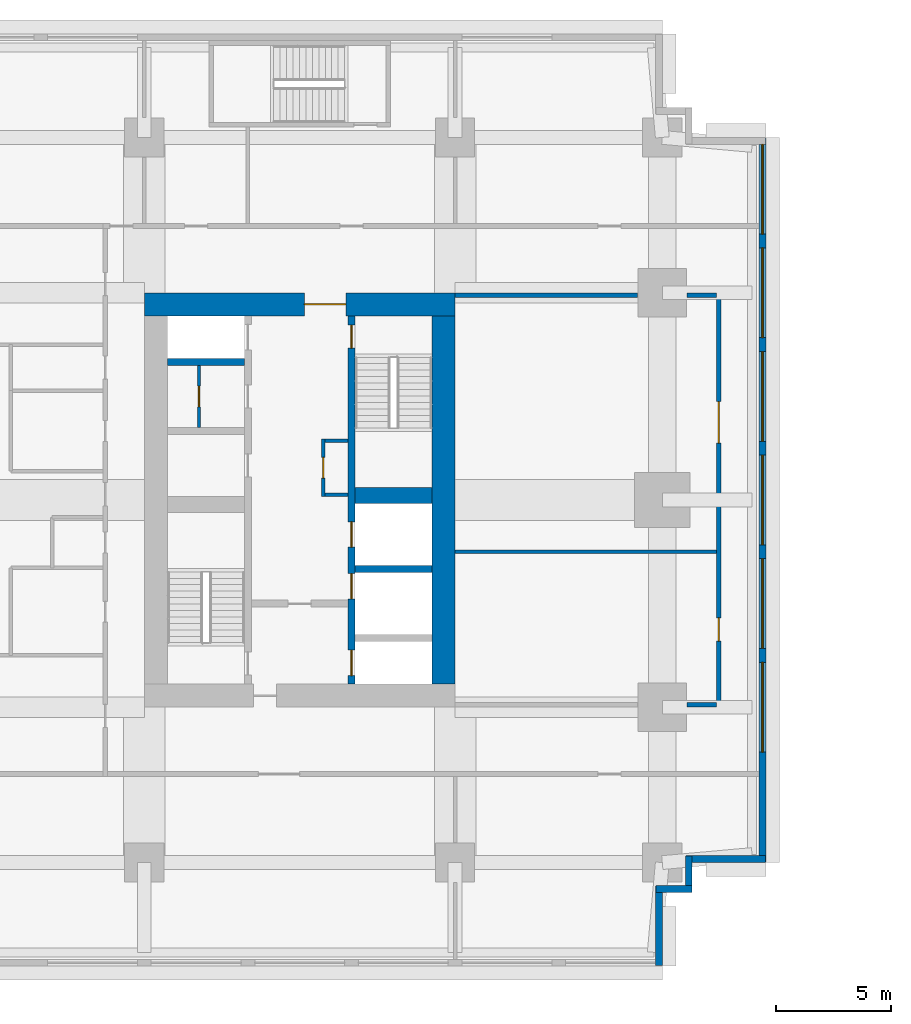
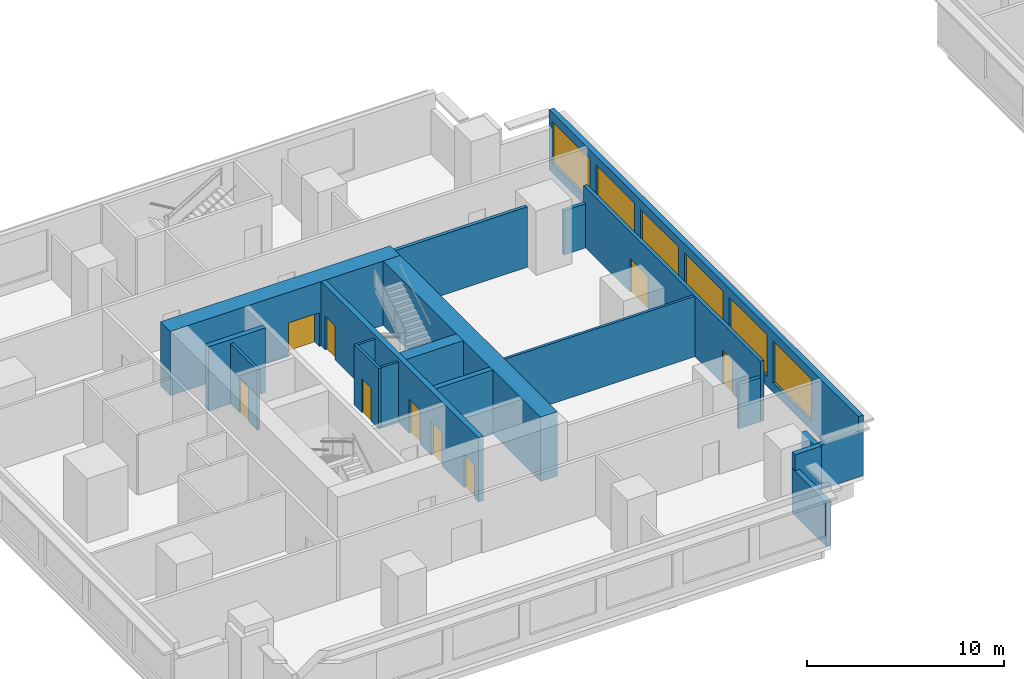
# One storey, part 4 of 10: 20 walls, 9 doors, 6 windows, 15 openings.
"""IFC4 building model written with IfcOpenShell, lengths in metres."""

from ifc_helpers import new_model, si_unit, direction, frame, frame_2d, origin, place, context, subcontext, project, spatial, rectangle, extrude, material, layer, layer_set, type_object, element, fill, save


model = new_model("IFC4")

# Units and contexts
model_context = context("Model", 3, precision=1e-05, world=origin(), true_north=direction((0.0, 1.0)))
body_context = subcontext(model_context, "Body", "Model", "MODEL_VIEW")
ifc_project = project(units=[si_unit("LENGTHUNIT", "METRE"), si_unit("AREAUNIT", "SQUARE_METRE"), si_unit("VOLUMEUNIT", "CUBIC_METRE"), si_unit("PLANEANGLEUNIT", "RADIAN"), si_unit("MASSUNIT", "GRAM", prefix="KILO")], contexts=[model_context])

# Site, building, storey
site_placement = place(None, origin())
site = spatial("IfcSite", under=ifc_project, at=site_placement, CompositionType="ELEMENT")
building_placement = place(site_placement, origin())
building = spatial("IfcBuilding", under=site, at=building_placement, Name="Namib Vertical Campus", CompositionType="ELEMENT")
storey_placement = place(building_placement, frame((0.0, 0.0, 165.0)))
storey = spatial("IfcBuildingStorey", under=building, at=storey_placement, Name="L39", CompositionType="ELEMENT", Elevation=165.0)

# Wall, openings, doors
ifc_material_1 = material(Name="Concrete C60/75", Category="concrete")
ifc_layer_1 = layer(ifc_material_1, 0.300048828125)
ifc_layer_set_1 = layer_set([ifc_layer_1], Name="Concrete C60/75")
wall_type_1 = type_object("IfcWallType", Name="Core inner wall 300", PredefinedType="SHEAR", material=ifc_layer_set_1)
wall_1_placement = place(storey_placement, frame((22.5, 12.25, 0.0), z_axis=(0.0, 0.0, 1.0), x_axis=(0.0, 1.0, 0.0)))
wall_1 = element("IfcWall", 1, at=wall_1_placement, inside=storey, type_object=wall_type_1, Name="Core inner wall A L39 W2", PredefinedType="SHEAR", context=body_context, shape_type="SweptSolid", body=[
    extrude(rectangle(XDim=16.0, YDim=0.300048828125, at=frame_2d((8.0, 0.0))), origin(), (0.0, 0.0, 1.0), 4.0),
])
opening_1_placement = place(wall_1_placement, frame((14.60009765625, 0.0, 0.0)))
opening_1 = element("IfcOpeningElement", 2, at=opening_1_placement, cuts=wall_1, Name="Opening FD1", PredefinedType="OPENING", context=body_context, shape_type="SweptSolid", body=[
    extrude(rectangle(XDim=1.0, YDim=2.10009765625, at=frame_2d((0.5, 1.050048828125))), frame((0.0, 0.159912109375, 0.0), z_axis=(0.0, -1.0, 0.0), x_axis=(1.0, 0.0, 0.0)), (0.0, 0.0, 1.0), 0.320068359375),
])
opening_2_placement = place(wall_1_placement, frame((0.375, 0.0, 0.0)))
opening_2 = element("IfcOpeningElement", 3, at=opening_2_placement, cuts=wall_1, Name="Opening LD1", PredefinedType="OPENING", context=body_context, shape_type="SweptSolid", body=[
    extrude(rectangle(XDim=1.10009765625, YDim=2.10009765625, at=frame_2d((0.550048828125, 1.050048828125))), frame((0.0, 0.159912109375, 0.0), z_axis=(0.0, -1.0, 0.0), x_axis=(1.0, 0.0, 0.0)), (0.0, 0.0, 1.0), 0.320068359375),
])
opening_3_placement = place(wall_1_placement, frame((3.699951171875, 0.0, 0.0)))
opening_3 = element("IfcOpeningElement", 4, at=opening_3_placement, cuts=wall_1, Name="Opening LD1", PredefinedType="OPENING", context=body_context, shape_type="SweptSolid", body=[
    extrude(rectangle(XDim=1.10009765625, YDim=2.10009765625, at=frame_2d((0.550048828125, 1.050048828125))), frame((0.0, 0.159912109375, 0.0), z_axis=(0.0, -1.0, 0.0), x_axis=(1.0, 0.0, 0.0)), (0.0, 0.0, 1.0), 0.320068359375),
])
opening_4_placement = place(wall_1_placement, frame((5.949951171875, 0.0, 0.0)))
opening_4 = element("IfcOpeningElement", 5, at=opening_4_placement, cuts=wall_1, Name="Opening LD1", PredefinedType="OPENING", context=body_context, shape_type="SweptSolid", body=[
    extrude(rectangle(XDim=1.10009765625, YDim=2.10009765625, at=frame_2d((0.550048828125, 1.050048828125))), frame((0.0, 0.159912109375, 0.0), z_axis=(0.0, -1.0, 0.0), x_axis=(1.0, 0.0, 0.0)), (0.0, 0.0, 1.0), 0.320068359375),
])
ifc_material_2 = material(Name="Steel fire door", Category="steel")
door_type_1 = type_object("IfcDoorType", Name="Fire door 1000x2100", OperationType="SINGLE_SWING_RIGHT", PredefinedType="DOOR", material=ifc_material_2)
door_1_placement = place(opening_1_placement, frame((1.0, 0.0, 0.0), z_axis=(0.0, 0.0, 1.0), x_axis=(-1.0, 0.0, 0.0)))
door_1 = element("IfcDoor", 6, at=door_1_placement, inside=storey, type_object=door_type_1, Name="Stair door FD1 A L39 S2", OperationType="SINGLE_SWING_LEFT", OverallHeight=2.10009765625, OverallWidth=1.0, PredefinedType="DOOR", context=body_context, shape_type="SweptSolid", body=[
    extrude(rectangle(XDim=1.0, YDim=2.10009765625, at=frame_2d((0.5, 1.050048828125))), frame((0.0, 0.02490234375, 0.0), z_axis=(0.0, -1.0, 0.0), x_axis=(1.0, 0.0, 0.0)), (0.0, 0.0, 1.0), 0.050048828125),
])
fill(opening_1, door_1)
ifc_material_3 = material(Name="Stainless steel lift door", Category="steel")
door_type_2 = type_object("IfcDoorType", Name="Lift landing door 1100x2100", OperationType="DOUBLE_DOOR_SLIDING", PredefinedType="DOOR", material=ifc_material_3)
door_2_placement = place(opening_2_placement, origin())
door_2 = element("IfcDoor", 7, at=door_2_placement, inside=storey, type_object=door_type_2, Name="Lift landing door LD1 A-FL1 L39", OperationType="DOUBLE_DOOR_SLIDING", OverallHeight=2.10009765625, OverallWidth=1.10009765625, PredefinedType="DOOR", context=body_context, shape_type="SweptSolid", body=[
    extrude(rectangle(XDim=1.10009765625, YDim=2.10009765625, at=frame_2d((0.550048828125, 1.050048828125))), frame((0.0, 0.02490234375, 0.0), z_axis=(0.0, -1.0, 0.0), x_axis=(1.0, 0.0, 0.0)), (0.0, 0.0, 1.0), 0.050048828125),
])
fill(opening_2, door_2)
door_3_placement = place(opening_3_placement, origin())
door_3 = element("IfcDoor", 8, at=door_3_placement, inside=storey, type_object=door_type_2, Name="Lift landing door LD1 A-P4 L39", OperationType="DOUBLE_DOOR_SLIDING", OverallHeight=2.10009765625, OverallWidth=1.10009765625, PredefinedType="DOOR", context=body_context, shape_type="SweptSolid", body=[
    extrude(rectangle(XDim=1.10009765625, YDim=2.10009765625, at=frame_2d((0.550048828125, 1.050048828125))), frame((0.0, 0.02490234375, 0.0), z_axis=(0.0, -1.0, 0.0), x_axis=(1.0, 0.0, 0.0)), (0.0, 0.0, 1.0), 0.050048828125),
])
fill(opening_3, door_3)
door_4_placement = place(opening_4_placement, origin())
door_4 = element("IfcDoor", 9, at=door_4_placement, inside=storey, type_object=door_type_2, Name="Lift landing door LD1 A-P5 L39", OperationType="DOUBLE_DOOR_SLIDING", OverallHeight=2.10009765625, OverallWidth=1.10009765625, PredefinedType="DOOR", context=body_context, shape_type="SweptSolid", body=[
    extrude(rectangle(XDim=1.10009765625, YDim=2.10009765625, at=frame_2d((0.550048828125, 1.050048828125))), frame((0.0, 0.02490234375, 0.0), z_axis=(0.0, -1.0, 0.0), x_axis=(1.0, 0.0, 0.0)), (0.0, 0.0, 1.0), 0.050048828125),
])
fill(opening_4, door_4)

# Walls
for number, where, z_axis, x_axis, name in (
    (10, (22.64990234375, 17.25, 0.0), (0.0, 0.0, 1.0), (1.0, 0.0, 0.0), "Core inner wall A L39 W6"),
    (11, (14.5, 26.25, 0.0), (0.0, 0.0, 1.0), (1.0, 0.0, 0.0), "Core inner wall A L39 W9"),
):
    element("IfcWall", number, at=place(storey_placement, frame(where, z_axis=z_axis, x_axis=x_axis)), inside=storey, type_object=wall_type_1, Name=name, PredefinedType="SHEAR", context=body_context, shape_type="SweptSolid", body=[
        extrude(rectangle(XDim=3.35009765625, YDim=0.300048828125, at=frame_2d((1.675048828125, 0.0))), origin(), (0.0, 0.0, 1.0), 4.0),
    ])
ifc_material_4 = material(Name="Concrete C60/75", Category="concrete")
ifc_layer_2 = layer(ifc_material_4, 0.699951171875)
ifc_layer_set_2 = layer_set([ifc_layer_2], Name="Concrete C60/75")
wall_type_2 = type_object("IfcWallType", Name="Core shear wall 700", PredefinedType="SHEAR", material=ifc_layer_set_2)
wall_2_placement = place(storey_placement, frame((22.64990234375, 20.449951171875, 0.0), z_axis=(0.0, 0.0, 1.0), x_axis=(1.0, 0.0, 0.0)))
element("IfcWall", 12, at=wall_2_placement, inside=storey, type_object=wall_type_2, Name="Core shear wall A L39 W7", PredefinedType="SHEAR", context=body_context, shape_type="SweptSolid", body=[
    extrude(rectangle(XDim=3.35009765625, YDim=0.699951171875, at=frame_2d((1.675048828125, 0.0))), origin(), (0.0, 0.0, 1.0), 4.0),
])
ifc_material_5 = material(Name="Concrete C60/75", Category="concrete")
ifc_layer_3 = layer(ifc_material_5, 1.0)
ifc_layer_set_3 = layer_set([ifc_layer_3], Name="Concrete C60/75")
wall_type_3 = type_object("IfcWallType", Name="Core wall 1000", PredefinedType="SHEAR", material=ifc_layer_set_3)
wall_3_placement = place(storey_placement, frame((26.5, 12.25, 0.0), z_axis=(0.0, 0.0, 1.0), x_axis=(0.0, 1.0, 0.0)))
element("IfcWall", 13, at=wall_3_placement, inside=storey, type_object=wall_type_3, Name="Core wall A L39 2", PredefinedType="SHEAR", context=body_context, shape_type="SweptSolid", body=[
    extrude(rectangle(XDim=16.0, YDim=1.0, at=frame_2d((8.0, 0.0))), origin(), (0.0, 0.0, 1.0), 4.0),
])

# Wall, opening, door
wall_4_placement = place(storey_placement, frame((27.0, 28.75, 0.0), z_axis=(0.0, 0.0, 1.0), x_axis=(-1.0, 0.0, 0.0)))
wall_4 = element("IfcWall", 14, at=wall_4_placement, inside=storey, type_object=wall_type_3, Name="Core wall A L39 3", PredefinedType="SHEAR", context=body_context, shape_type="SweptSolid", body=[
    extrude(rectangle(XDim=13.5, YDim=1.0, at=frame_2d((6.75, 0.0))), origin(), (0.0, 0.0, 1.0), 4.0),
])
opening_5_placement = place(wall_4_placement, frame((4.75, 0.0, 0.0)))
opening_5 = element("IfcOpeningElement", 15, at=opening_5_placement, cuts=wall_4, Name="Opening FD2", PredefinedType="OPENING", context=body_context, shape_type="SweptSolid", body=[
    extrude(rectangle(XDim=1.800048828125, YDim=2.10009765625, at=frame_2d((0.89990234375, 1.050048828125))), frame((0.0, 0.510009765625, 0.0), z_axis=(0.0, -1.0, 0.0), x_axis=(1.0, 0.0, 0.0)), (0.0, 0.0, 1.0), 1.02001953125),
])
ifc_material_6 = material(Name="Steel fire door", Category="steel")
door_type_3 = type_object("IfcDoorType", Name="Fire door double 1800x2100", OperationType="DOUBLE_DOOR_SINGLE_SWING", PredefinedType="DOOR", material=ifc_material_6)
door_5_placement = place(opening_5_placement, origin())
door_5 = element("IfcDoor", 16, at=door_5_placement, inside=storey, type_object=door_type_3, Name="Lift lobby door FD2 A L39", OperationType="DOUBLE_DOOR_SINGLE_SWING", OverallHeight=2.10009765625, OverallWidth=1.800048828125, PredefinedType="DOOR", context=body_context, shape_type="SweptSolid", body=[
    extrude(rectangle(XDim=1.800048828125, YDim=2.10009765625, at=frame_2d((0.89990234375, 1.050048828125))), frame((0.0, 0.02490234375, 0.0), z_axis=(0.0, -1.0, 0.0), x_axis=(1.0, 0.0, 0.0)), (0.0, 0.0, 1.0), 0.050048828125),
])
fill(opening_5, door_5)

# Wall, openings, doors
ifc_material_7 = material(Name="Concrete masonry", Category="masonry")
ifc_layer_4 = layer(ifc_material_7, 0.199951171875)
ifc_layer_set_4 = layer_set([ifc_layer_4], Name="Corridor wall 200")
wall_type_4 = type_object("IfcWallType", Name="Corridor wall 200", PredefinedType="SOLIDWALL", material=ifc_layer_set_4)
wall_5_placement = place(storey_placement, frame((38.449951171875, 11.25, 0.0), z_axis=(0.0, 0.0, 1.0), x_axis=(0.0, 1.0, 0.0)))
wall_5 = element("IfcWall", 17, at=wall_5_placement, inside=storey, type_object=wall_type_4, Name="Corridor wall A L39 CG", PredefinedType="SOLIDWALL", context=body_context, shape_type="SweptSolid", body=[
    extrude(rectangle(XDim=18.0, YDim=0.199951171875, at=frame_2d((9.0, 0.0))), origin(), (0.0, 0.0, 1.0), 3.75),
])
opening_6_placement = place(wall_5_placement, frame((2.875, 0.0, 0.0)))
opening_6 = element("IfcOpeningElement", 18, at=opening_6_placement, cuts=wall_5, Name="Opening CD1", PredefinedType="OPENING", context=body_context, shape_type="SweptSolid", body=[
    extrude(rectangle(XDim=1.0, YDim=2.10009765625, at=frame_2d((0.5, 1.050048828125))), frame((0.0, 0.10986328125, 0.0), z_axis=(0.0, -1.0, 0.0), x_axis=(1.0, 0.0, 0.0)), (0.0, 0.0, 1.0), 0.219970703125),
])
opening_7_placement = place(wall_5_placement, frame((11.47509765625, 0.0, 0.0)))
opening_7 = element("IfcOpeningElement", 19, at=opening_7_placement, cuts=wall_5, Name="Opening CD2", PredefinedType="OPENING", context=body_context, shape_type="SweptSolid", body=[
    extrude(rectangle(XDim=1.800048828125, YDim=2.10009765625, at=frame_2d((0.89990234375, 1.050048828125))), frame((0.0, 0.10986328125, 0.0), z_axis=(0.0, -1.0, 0.0), x_axis=(1.0, 0.0, 0.0)), (0.0, 0.0, 1.0), 0.219970703125),
])
ifc_material_8 = material(Name="Timber fire door leaf", Category="wood")
door_type_4 = type_object("IfcDoorType", Name="Corridor door 1000x2100 20 min", OperationType="SINGLE_SWING_LEFT", PredefinedType="DOOR", material=ifc_material_8)
door_6_placement = place(opening_6_placement, origin())
door_6 = element("IfcDoor", 20, at=door_6_placement, inside=storey, type_object=door_type_4, Name="Door CD1 A39-03", OperationType="SINGLE_SWING_LEFT", OverallHeight=2.10009765625, OverallWidth=1.0, PredefinedType="DOOR", context=body_context, shape_type="SweptSolid", body=[
    extrude(rectangle(XDim=1.0, YDim=2.10009765625, at=frame_2d((0.5, 1.050048828125))), frame((0.0, 0.02490234375, 0.0), z_axis=(0.0, -1.0, 0.0), x_axis=(1.0, 0.0, 0.0)), (0.0, 0.0, 1.0), 0.050048828125),
])
fill(opening_6, door_6)
ifc_material_9 = material(Name="Timber fire door leaf", Category="wood")
door_type_5 = type_object("IfcDoorType", Name="Corridor door double 1800x2100 20 min", OperationType="DOUBLE_DOOR_SINGLE_SWING", PredefinedType="DOOR", material=ifc_material_9)
door_7_placement = place(opening_7_placement, origin())
door_7 = element("IfcDoor", 21, at=door_7_placement, inside=storey, type_object=door_type_5, Name="Door CD2 A39-04", OperationType="DOUBLE_DOOR_SINGLE_SWING", OverallHeight=2.10009765625, OverallWidth=1.800048828125, PredefinedType="DOOR", context=body_context, shape_type="SweptSolid", body=[
    extrude(rectangle(XDim=1.800048828125, YDim=2.10009765625, at=frame_2d((0.89990234375, 1.050048828125))), frame((0.0, 0.02490234375, 0.0), z_axis=(0.0, -1.0, 0.0), x_axis=(1.0, 0.0, 0.0)), (0.0, 0.0, 1.0), 0.050048828125),
])
fill(opening_7, door_7)

# Walls
wall_6_placement = place(storey_placement, frame((37.070068359375, 11.35009765625, 0.0), z_axis=(0.0, 0.0, 1.0), x_axis=(1.0, 0.0, 0.0)))
element("IfcWall", 22, at=wall_6_placement, inside=storey, type_object=wall_type_4, Name="Corridor wall A L39 GS", PredefinedType="SOLIDWALL", context=body_context, shape_type="SweptSolid", body=[
    extrude(rectangle(XDim=1.280029296875, YDim=0.199951171875, at=frame_2d((0.64013671875, 0.0))), origin(), (0.0, 0.0, 1.0), 2.75),
])
wall_7_placement = place(storey_placement, frame((27.0, 29.14990234375, 0.0), z_axis=(0.0, 0.0, 1.0), x_axis=(1.0, 0.0, 0.0)))
element("IfcWall", 23, at=wall_7_placement, inside=storey, type_object=wall_type_4, Name="Corridor wall A L39 GN", PredefinedType="SOLIDWALL", context=body_context, shape_type="SweptSolid", body=[
    extrude(rectangle(XDim=7.929931640625, YDim=0.199951171875, at=frame_2d((3.96484375, 0.0))), origin(), (0.0, 0.0, 1.0), 3.75),
])
wall_8_placement = place(storey_placement, frame((37.070068359375, 29.14990234375, 0.0), z_axis=(0.0, 0.0, 1.0), x_axis=(1.0, 0.0, 0.0)))
element("IfcWall", 24, at=wall_8_placement, inside=storey, type_object=wall_type_4, Name="Corridor wall A L39 GN", PredefinedType="SOLIDWALL", context=body_context, shape_type="SweptSolid", body=[
    extrude(rectangle(XDim=1.280029296875, YDim=0.199951171875, at=frame_2d((0.64013671875, 0.0))), origin(), (0.0, 0.0, 1.0), 2.75),
])
ifc_material_10 = material(Name="Concrete C40/50", Category="concrete")
ifc_layer_5 = layer(ifc_material_10, 0.300048828125)
ifc_layer_set_5 = layer_set([ifc_layer_5], Name="Concrete C40/50")
wall_type_5 = type_object("IfcWallType", Name="External wall 300 board-marked concrete", PredefinedType="STANDARD", material=ifc_layer_set_5)
wall_9_placement = place(storey_placement, frame((35.85009765625, 0.02001953125, 0.0), z_axis=(0.0, 0.0, 1.0), x_axis=(0.0, 1.0, 0.0)))
element("IfcWall", 25, at=wall_9_placement, inside=storey, type_object=wall_type_5, Name="External wall L39 F02", PredefinedType="STANDARD", context=body_context, shape_type="SweptSolid", body=[
    extrude(rectangle(XDim=3.4599609375, YDim=0.300048828125, at=frame_2d((1.72998046875, 0.0))), origin(), (0.0, 0.0, 1.0), 2.75),
])
for number, where, z_axis, x_axis, name in (
    (26, (35.719970703125, 3.35009765625, 0.0), (0.0, 0.0, 1.0), (1.0, 0.0, 0.0), "External wall L39 F03"),
    (27, (37.14990234375, 3.219970703125, 0.0), (0.0, 0.0, 1.0), (0.0, 1.0, 0.0), "External wall L39 F04"),
):
    element("IfcWall", number, at=place(storey_placement, frame(where, z_axis=z_axis, x_axis=x_axis)), inside=storey, type_object=wall_type_5, Name=name, PredefinedType="STANDARD", context=body_context, shape_type="SweptSolid", body=[
        extrude(rectangle(XDim=1.56005859375, YDim=0.300048828125, at=frame_2d((0.780029296875, 0.0))), origin(), (0.0, 0.0, 1.0), 3.75),
    ])
wall_10_placement = place(storey_placement, frame((37.02001953125, 4.64990234375, 0.0), z_axis=(0.0, 0.0, 1.0), x_axis=(1.0, 0.0, 0.0)))
element("IfcWall", 28, at=wall_10_placement, inside=storey, type_object=wall_type_5, Name="External wall L39 F05", PredefinedType="STANDARD", context=body_context, shape_type="SweptSolid", body=[
    extrude(rectangle(XDim=3.4599609375, YDim=0.300048828125, at=frame_2d((1.72998046875, 0.0))), origin(), (0.0, 0.0, 1.0), 2.75),
])

# Wall, openings, windows
wall_11_placement = place(storey_placement, frame((40.35009765625, 4.52001953125, 0.0), z_axis=(0.0, 0.0, 1.0), x_axis=(0.0, 1.0, 0.0)))
wall_11 = element("IfcWall", 29, at=wall_11_placement, inside=storey, type_object=wall_type_5, Name="External wall L39 F06", PredefinedType="STANDARD", context=body_context, shape_type="SweptSolid", body=[
    extrude(rectangle(XDim=31.4599609375, YDim=0.300048828125, at=frame_2d((15.72998046875, 0.0))), origin(), (0.0, 0.0, 1.0), 3.75),
])
opening_8_placement = place(wall_11_placement, frame((4.780029296875, 0.0, 0.60009765625)))
opening_8 = element("IfcOpeningElement", 30, at=opening_8_placement, cuts=wall_11, Name="Opening W2", PredefinedType="OPENING", context=body_context, shape_type="SweptSolid", body=[
    extrude(rectangle(XDim=3.89990234375, YDim=2.60009765625, at=frame_2d((1.949951171875, 1.300048828125))), frame((0.0, 0.159912109375, 0.0), z_axis=(0.0, -1.0, 0.0), x_axis=(1.0, 0.0, 0.0)), (0.0, 0.0, 1.0), 0.320068359375),
])
opening_9_placement = place(wall_11_placement, frame((9.280029296875, 0.0, 0.60009765625)))
opening_9 = element("IfcOpeningElement", 31, at=opening_9_placement, cuts=wall_11, Name="Opening W2", PredefinedType="OPENING", context=body_context, shape_type="SweptSolid", body=[
    extrude(rectangle(XDim=3.89990234375, YDim=2.60009765625, at=frame_2d((1.949951171875, 1.300048828125))), frame((0.0, 0.159912109375, 0.0), z_axis=(0.0, -1.0, 0.0), x_axis=(1.0, 0.0, 0.0)), (0.0, 0.0, 1.0), 0.320068359375),
])
opening_10_placement = place(wall_11_placement, frame((13.780029296875, 0.0, 0.60009765625)))
opening_10 = element("IfcOpeningElement", 32, at=opening_10_placement, cuts=wall_11, Name="Opening W2", PredefinedType="OPENING", context=body_context, shape_type="SweptSolid", body=[
    extrude(rectangle(XDim=3.89990234375, YDim=2.60009765625, at=frame_2d((1.949951171875, 1.300048828125))), frame((0.0, 0.159912109375, 0.0), z_axis=(0.0, -1.0, 0.0), x_axis=(1.0, 0.0, 0.0)), (0.0, 0.0, 1.0), 0.320068359375),
])
opening_11_placement = place(wall_11_placement, frame((18.280029296875, 0.0, 0.60009765625)))
opening_11 = element("IfcOpeningElement", 33, at=opening_11_placement, cuts=wall_11, Name="Opening W2", PredefinedType="OPENING", context=body_context, shape_type="SweptSolid", body=[
    extrude(rectangle(XDim=3.89990234375, YDim=2.60009765625, at=frame_2d((1.949951171875, 1.300048828125))), frame((0.0, 0.159912109375, 0.0), z_axis=(0.0, -1.0, 0.0), x_axis=(1.0, 0.0, 0.0)), (0.0, 0.0, 1.0), 0.320068359375),
])
opening_12_placement = place(wall_11_placement, frame((22.780029296875, 0.0, 0.60009765625)))
opening_12 = element("IfcOpeningElement", 34, at=opening_12_placement, cuts=wall_11, Name="Opening W2", PredefinedType="OPENING", context=body_context, shape_type="SweptSolid", body=[
    extrude(rectangle(XDim=3.89990234375, YDim=2.60009765625, at=frame_2d((1.949951171875, 1.300048828125))), frame((0.0, 0.159912109375, 0.0), z_axis=(0.0, -1.0, 0.0), x_axis=(1.0, 0.0, 0.0)), (0.0, 0.0, 1.0), 0.320068359375),
])
opening_13_placement = place(wall_11_placement, frame((27.280029296875, 0.0, 0.60009765625)))
opening_13 = element("IfcOpeningElement", 35, at=opening_13_placement, cuts=wall_11, Name="Opening W2", PredefinedType="OPENING", context=body_context, shape_type="SweptSolid", body=[
    extrude(rectangle(XDim=3.89990234375, YDim=2.60009765625, at=frame_2d((1.949951171875, 1.300048828125))), frame((0.0, 0.159912109375, 0.0), z_axis=(0.0, -1.0, 0.0), x_axis=(1.0, 0.0, 0.0)), (0.0, 0.0, 1.0), 0.320068359375),
])
ifc_material_11 = material(Name="Dark tinted glass in black aluminium frame", Category="aluminium")
window_type = type_object("IfcWindowType", Name="Ribbon window 3900x2600", PartitioningType="SINGLE_PANEL", PredefinedType="WINDOW", material=ifc_material_11)
window_1_placement = place(opening_8_placement, origin())
window_1 = element("IfcWindow", 36, at=window_1_placement, inside=storey, type_object=window_type, Name="Window W2 L39 F06-2", OverallHeight=2.60009765625, OverallWidth=3.89990234375, PartitioningType="SINGLE_PANEL", PredefinedType="WINDOW", context=body_context, shape_type="SweptSolid", body=[
    extrude(rectangle(XDim=3.89990234375, YDim=2.60009765625, at=frame_2d((1.949951171875, 1.300048828125))), frame((0.0, 0.030029296875, 0.0), z_axis=(0.0, -1.0, 0.0), x_axis=(1.0, 0.0, 0.0)), (0.0, 0.0, 1.0), 0.06005859375),
])
fill(opening_8, window_1)
window_2_placement = place(opening_9_placement, origin())
window_2 = element("IfcWindow", 37, at=window_2_placement, inside=storey, type_object=window_type, Name="Window W2 L39 F06-3", OverallHeight=2.60009765625, OverallWidth=3.89990234375, PartitioningType="SINGLE_PANEL", PredefinedType="WINDOW", context=body_context, shape_type="SweptSolid", body=[
    extrude(rectangle(XDim=3.89990234375, YDim=2.60009765625, at=frame_2d((1.949951171875, 1.300048828125))), frame((0.0, 0.030029296875, 0.0), z_axis=(0.0, -1.0, 0.0), x_axis=(1.0, 0.0, 0.0)), (0.0, 0.0, 1.0), 0.06005859375),
])
fill(opening_9, window_2)
window_3_placement = place(opening_10_placement, origin())
window_3 = element("IfcWindow", 38, at=window_3_placement, inside=storey, type_object=window_type, Name="Window W2 L39 F06-4", OverallHeight=2.60009765625, OverallWidth=3.89990234375, PartitioningType="SINGLE_PANEL", PredefinedType="WINDOW", context=body_context, shape_type="SweptSolid", body=[
    extrude(rectangle(XDim=3.89990234375, YDim=2.60009765625, at=frame_2d((1.949951171875, 1.300048828125))), frame((0.0, 0.030029296875, 0.0), z_axis=(0.0, -1.0, 0.0), x_axis=(1.0, 0.0, 0.0)), (0.0, 0.0, 1.0), 0.06005859375),
])
fill(opening_10, window_3)
window_4_placement = place(opening_11_placement, origin())
window_4 = element("IfcWindow", 39, at=window_4_placement, inside=storey, type_object=window_type, Name="Window W2 L39 F06-5", OverallHeight=2.60009765625, OverallWidth=3.89990234375, PartitioningType="SINGLE_PANEL", PredefinedType="WINDOW", context=body_context, shape_type="SweptSolid", body=[
    extrude(rectangle(XDim=3.89990234375, YDim=2.60009765625, at=frame_2d((1.949951171875, 1.300048828125))), frame((0.0, 0.030029296875, 0.0), z_axis=(0.0, -1.0, 0.0), x_axis=(1.0, 0.0, 0.0)), (0.0, 0.0, 1.0), 0.06005859375),
])
fill(opening_11, window_4)
window_5_placement = place(opening_12_placement, origin())
window_5 = element("IfcWindow", 40, at=window_5_placement, inside=storey, type_object=window_type, Name="Window W2 L39 F06-6", OverallHeight=2.60009765625, OverallWidth=3.89990234375, PartitioningType="SINGLE_PANEL", PredefinedType="WINDOW", context=body_context, shape_type="SweptSolid", body=[
    extrude(rectangle(XDim=3.89990234375, YDim=2.60009765625, at=frame_2d((1.949951171875, 1.300048828125))), frame((0.0, 0.030029296875, 0.0), z_axis=(0.0, -1.0, 0.0), x_axis=(1.0, 0.0, 0.0)), (0.0, 0.0, 1.0), 0.06005859375),
])
fill(opening_12, window_5)
window_6_placement = place(opening_13_placement, origin())
window_6 = element("IfcWindow", 41, at=window_6_placement, inside=storey, type_object=window_type, Name="Window W2 L39 F06-7", OverallHeight=2.60009765625, OverallWidth=3.89990234375, PartitioningType="SINGLE_PANEL", PredefinedType="WINDOW", context=body_context, shape_type="SweptSolid", body=[
    extrude(rectangle(XDim=3.89990234375, YDim=2.60009765625, at=frame_2d((1.949951171875, 1.300048828125))), frame((0.0, 0.030029296875, 0.0), z_axis=(0.0, -1.0, 0.0), x_axis=(1.0, 0.0, 0.0)), (0.0, 0.0, 1.0), 0.06005859375),
])
fill(opening_13, window_6)

# Wall, opening, door
ifc_material_12 = material(Name="Gypsum board on steel studs", Category="steel")
ifc_layer_6 = layer(ifc_material_12, 0.14990234375)
ifc_layer_set_6 = layer_set([ifc_layer_6], Name="Gypsum board on steel studs")
wall_type_6 = type_object("IfcWallType", Name="Partition 150", PredefinedType="PARTITIONING", material=ifc_layer_set_6)
wall_12_placement = place(storey_placement, frame((21.27490234375, 20.39990234375, 0.0), z_axis=(0.0, 0.0, 1.0), x_axis=(0.0, 1.0, 0.0)))
wall_12 = element("IfcWall", 42, at=wall_12_placement, inside=storey, type_object=wall_type_6, Name="Partition A L39 Cleaners' store front", PredefinedType="PARTITIONING", context=body_context, shape_type="SweptSolid", body=[
    extrude(rectangle(XDim=2.5, YDim=0.14990234375, at=frame_2d((1.25, 0.0))), origin(), (0.0, 0.0, 1.0), 3.75),
])
opening_14_placement = place(wall_12_placement, frame((0.800048828125, 0.0, 0.0)))
opening_14 = element("IfcOpeningElement", 43, at=opening_14_placement, cuts=wall_12, Name="Opening D3", PredefinedType="OPENING", context=body_context, shape_type="SweptSolid", body=[
    extrude(rectangle(XDim=0.89990234375, YDim=2.10009765625, at=frame_2d((0.449951171875, 1.050048828125))), frame((0.0, 0.0849609375, 0.0), z_axis=(0.0, -1.0, 0.0), x_axis=(1.0, 0.0, 0.0)), (0.0, 0.0, 1.0), 0.169921875),
])
ifc_material_13 = material(Name="Timber door leaf", Category="wood")
door_type_6 = type_object("IfcDoorType", Name="Toilet door 900x2100", OperationType="SINGLE_SWING_LEFT", PredefinedType="DOOR", material=ifc_material_13)
door_8_placement = place(opening_14_placement, frame((0.89990234375, 0.0, 0.0), z_axis=(0.0, 0.0, 1.0), x_axis=(-1.0, 0.0, 0.0)))
door_8 = element("IfcDoor", 44, at=door_8_placement, inside=storey, type_object=door_type_6, Name="Door D3 Cleaners' store A L39", OperationType="SINGLE_SWING_RIGHT", OverallHeight=2.10009765625, OverallWidth=0.89990234375, PredefinedType="DOOR", context=body_context, shape_type="SweptSolid", body=[
    extrude(rectangle(XDim=0.89990234375, YDim=2.10009765625, at=frame_2d((0.449951171875, 1.050048828125))), frame((0.0, 0.02490234375, 0.0), z_axis=(0.0, -1.0, 0.0), x_axis=(1.0, 0.0, 0.0)), (0.0, 0.0, 1.0), 0.050048828125),
])
fill(opening_14, door_8)

# Walls
for number, where, z_axis, x_axis, name in (
    (45, (21.35009765625, 20.47509765625, 0.0), (0.0, 0.0, 1.0), (1.0, 0.0, 0.0), "Partition A L39 Cleaners' store end 1"),
    (46, (21.35009765625, 22.824951171875, 0.0), (0.0, 0.0, 1.0), (1.0, 0.0, 0.0), "Partition A L39 Cleaners' store end 2"),
):
    element("IfcWall", number, at=place(storey_placement, frame(where, z_axis=z_axis, x_axis=x_axis)), inside=storey, type_object=wall_type_6, Name=name, PredefinedType="PARTITIONING", context=body_context, shape_type="SweptSolid", body=[
        extrude(rectangle(XDim=1.0, YDim=0.14990234375, at=frame_2d((0.5, 0.0))), origin(), (0.0, 0.0, 1.0), 3.75),
    ])

# Wall, opening, door
wall_13_placement = place(storey_placement, frame((15.875, 23.39990234375, 0.0), z_axis=(0.0, 0.0, 1.0), x_axis=(0.0, 1.0, 0.0)))
wall_13 = element("IfcWall", 47, at=wall_13_placement, inside=storey, type_object=wall_type_6, Name="Partition A L39 Records store P2 back", PredefinedType="PARTITIONING", context=body_context, shape_type="SweptSolid", body=[
    extrude(rectangle(XDim=2.7001953125, YDim=0.14990234375, at=frame_2d((1.35009765625, 0.0))), origin(), (0.0, 0.0, 1.0), 3.75),
])
opening_15_placement = place(wall_13_placement, frame((0.89990234375, 0.0, 0.0)))
opening_15 = element("IfcOpeningElement", 48, at=opening_15_placement, cuts=wall_13, Name="Opening D3", PredefinedType="OPENING", context=body_context, shape_type="SweptSolid", body=[
    extrude(rectangle(XDim=0.89990234375, YDim=2.10009765625, at=frame_2d((0.449951171875, 1.050048828125))), frame((0.0, 0.0849609375, 0.0), z_axis=(0.0, -1.0, 0.0), x_axis=(1.0, 0.0, 0.0)), (0.0, 0.0, 1.0), 0.169921875),
])
door_9_placement = place(opening_15_placement, origin())
door_9 = element("IfcDoor", 49, at=door_9_placement, inside=storey, type_object=door_type_6, Name="Door D3 Store A L39 P2", OperationType="SINGLE_SWING_LEFT", OverallHeight=2.10009765625, OverallWidth=0.89990234375, PredefinedType="DOOR", context=body_context, shape_type="SweptSolid", body=[
    extrude(rectangle(XDim=0.89990234375, YDim=2.10009765625, at=frame_2d((0.449951171875, 1.050048828125))), frame((0.0, 0.02490234375, 0.0), z_axis=(0.0, -1.0, 0.0), x_axis=(1.0, 0.0, 0.0)), (0.0, 0.0, 1.0), 0.050048828125),
])
fill(opening_15, door_9)

# Wall
wall_14_placement = place(storey_placement, frame((27.0, 18.0, 0.0), z_axis=(0.0, 0.0, 1.0), x_axis=(1.0, 0.0, 0.0)))
element("IfcWall", 50, at=wall_14_placement, inside=storey, type_object=wall_type_6, Name="Partition A L39 PE1", PredefinedType="PARTITIONING", context=body_context, shape_type="SweptSolid", body=[
    extrude(rectangle(XDim=11.35009765625, YDim=0.14990234375, at=frame_2d((5.675048828125, 0.0))), origin(), (0.0, 0.0, 1.0), 3.75),
])

save(model, "model.ifc")
